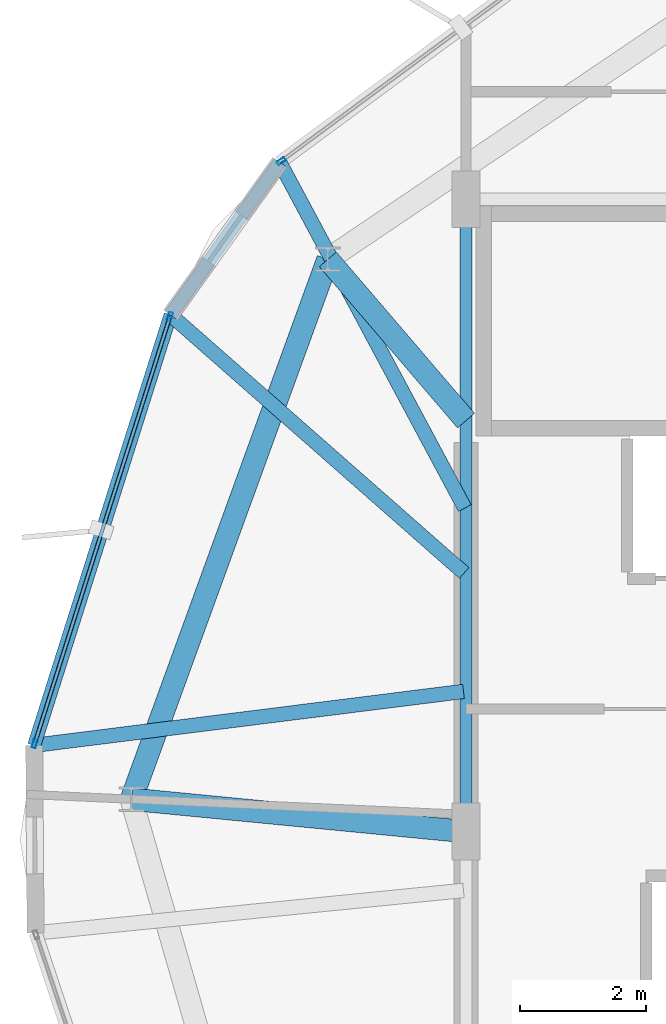
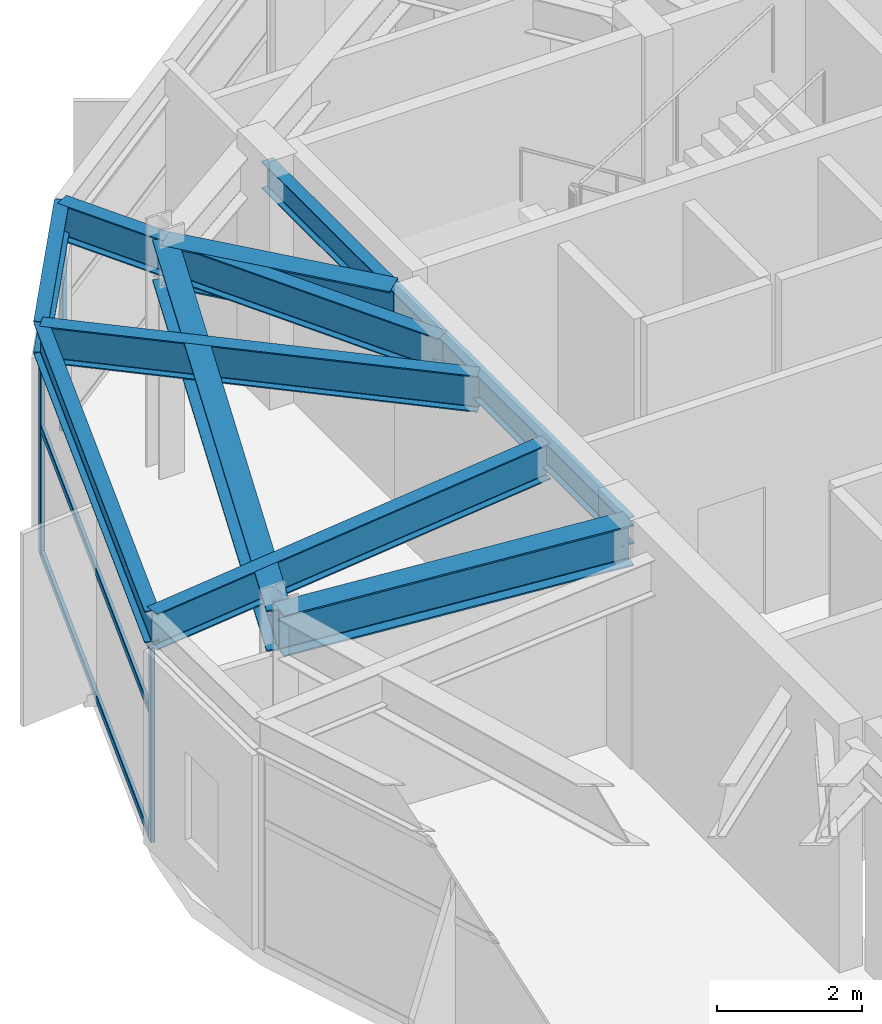
# One storey, part 10 of 22: 9 beams, 6 members, 2 elements without a shape of their own.
"""IFC4 building model written with IfcOpenShell, lengths in metres."""

import ifcopenshell
import ifcopenshell.guid

model = None  # the IFC model being written
_history = None  # IfcOwnerHistory: only IFC2X3 demands one
_inside = {}  # id of a spatial element -> (the spatial element, [elements in it])
_under = {}  # id of a project, library or spatial element -> (it, [spatial elements below it])
_declared = {}  # id of a project -> (the project, [libraries it declares])
_typed = {}  # id of a type object -> (the type object, [elements of that type])
_made_of = {}  # id of a material, layer set ... -> (it, [elements and type objects made of it])


def new_model(schema):
    """Start an empty IFC model of exactly this schema.

    Asked for "IFC4X3", IfcOpenShell would pick the latest addendum, in which some entities
    have other attributes; the version numbers below select the first issue.
    IFC2X3 requires an IfcOwnerHistory on every rooted entity: one is made here for all.
    """
    global model, _history
    if schema == "IFC4X3":
        model = ifcopenshell.file(schema_version=(4, 3, 0, 0))
    else:
        model = ifcopenshell.file(schema=schema)
    _inside.clear()
    _under.clear()
    _declared.clear()
    _typed.clear()
    _made_of.clear()
    _history = None
    if model.schema == "IFC2X3":
        org = make("IfcOrganization", Name="unknown")
        user = make(
            "IfcPersonAndOrganization",
            ThePerson=make("IfcPerson", FamilyName="unknown"),
            TheOrganization=org,
        )
        app = make(
            "IfcApplication",
            ApplicationDeveloper=org,
            Version="unknown",
            ApplicationFullName="unknown",
            ApplicationIdentifier="unknown",
        )
        _history = make(
            "IfcOwnerHistory",
            OwningUser=user,
            OwningApplication=app,
            ChangeAction="ADDED",
            CreationDate=0,
        )
    return model


def make(cls, **values):
    """One entity of the class cls with the attributes given. An attribute that is None is left unset."""
    return model.create_entity(
        cls, **{name: value for name, value in values.items() if value is not None}
    )


def rooted(cls, **values):
    """An entity with a GlobalId (a new one), such as an element, a storey or a relation."""
    return make(cls, GlobalId=ifcopenshell.guid.new(), OwnerHistory=_history, **values)


def si_unit(unit_type, name, prefix=None):
    """IfcSIUnit, for example si_unit("LENGTHUNIT", "METRE", prefix="MILLI")."""
    return make("IfcSIUnit", UnitType=unit_type, Prefix=prefix, Name=name)


def assignment(units):
    """IfcUnitAssignment: the units of a project."""
    return None if units is None else make("IfcUnitAssignment", Units=units)


def point(xyz):
    """IfcCartesianPoint."""
    return None if xyz is None else make("IfcCartesianPoint", Coordinates=xyz)


def direction(xyz):
    """IfcDirection."""
    return None if xyz is None else make("IfcDirection", DirectionRatios=xyz)


def frame(location, z_axis=None, x_axis=None):
    """IfcAxis2Placement3D, a coordinate frame: its origin and axes. An axis left out is left unset."""
    return make(
        "IfcAxis2Placement3D",
        Location=point(location),
        Axis=direction(z_axis),
        RefDirection=direction(x_axis),
    )


def frame_2d(location, x_axis=None):
    """IfcAxis2Placement2D, a coordinate frame in the plane: its origin and x axis."""
    return make(
        "IfcAxis2Placement2D", Location=point(location), RefDirection=direction(x_axis)
    )


def origin():
    """The frame at (0, 0, 0) with its axes left unset."""
    return frame((0.0, 0.0, 0.0))


def origin_2d():
    """The frame at (0, 0) in the plane with its x axis left unset."""
    return frame_2d((0.0, 0.0))


def place(relative_to, where):
    """IfcLocalPlacement: puts the frame where relative to a parent placement (None: the world)."""
    return make(
        "IfcLocalPlacement", PlacementRelTo=relative_to, RelativePlacement=where
    )


def context(
    kind, dimensions, precision=None, world=None, true_north=None, identifier=None
):
    """IfcGeometricRepresentationContext, for example the 3D "Model" context."""
    return make(
        "IfcGeometricRepresentationContext",
        ContextIdentifier=identifier,
        ContextType=kind,
        CoordinateSpaceDimension=dimensions,
        Precision=precision,
        WorldCoordinateSystem=world,
        TrueNorth=true_north,
    )


def subcontext(parent, identifier, kind, view, scale=None):
    """IfcGeometricRepresentationSubContext, for example "Body" below "Model"."""
    return make(
        "IfcGeometricRepresentationSubContext",
        ContextIdentifier=identifier,
        ContextType=kind,
        ParentContext=parent,
        TargetScale=scale,
        TargetView=view,
    )


def project(units=None, contexts=None):
    """IfcProject with its units and contexts."""
    return rooted(
        "IfcProject",
        Name="project",
        RepresentationContexts=contexts,
        UnitsInContext=assignment(units),
    )


def spatial(cls, under=None, at=None, **own):
    """A site, building, storey or space (cls), placed at a placement, below another one or the project."""
    s = rooted(cls, ObjectPlacement=at, **own)
    if under is not None:
        _under.setdefault(under.id(), (under, []))[1].append(s)
    return s


def profile(cls, at=None, kind="AREA", **sizes):
    """A parametric profile (cls). Its sizes go by their IFC names, for example OverallWidth=200.0."""
    return make(cls, ProfileType=kind, Position=at, **sizes)


def hollow_rectangle(**sizes):
    """IfcRectangleHollowProfileDef."""
    return profile("IfcRectangleHollowProfileDef", **sizes)


def i_section(**sizes):
    """IfcIShapeProfileDef."""
    return profile("IfcIShapeProfileDef", **sizes)


def extrude(swept, where, along, depth):
    """IfcExtrudedAreaSolid: the profile swept, set in the frame where, extruded along a direction by depth."""
    return make(
        "IfcExtrudedAreaSolid",
        SweptArea=swept,
        Position=where,
        ExtrudedDirection=direction(along),
        Depth=depth,
    )


def shape(context_of_items, identifier, shape_type, items):
    """IfcShapeRepresentation: the items that make up one representation, for example the "Body"."""
    return make(
        "IfcShapeRepresentation",
        ContextOfItems=context_of_items,
        RepresentationIdentifier=identifier,
        RepresentationType=shape_type,
        Items=items,
    )


def material(Name=None, Category=None):
    """IfcMaterial."""
    return make("IfcMaterial", Name=Name, Category=Category)


def layer(
    of_material, thickness, ventilated=None, Name=None, Category=None, Priority=None
):
    """IfcMaterialLayer: one layer of a wall or slab, of a material (None: an air gap)."""
    return make(
        "IfcMaterialLayer",
        Material=of_material,
        LayerThickness=thickness,
        IsVentilated=ventilated,
        Name=Name,
        Category=Category,
        Priority=Priority,
    )


def layer_set(layers, Name=None):
    """IfcMaterialLayerSet."""
    return make("IfcMaterialLayerSet", MaterialLayers=layers, LayerSetName=Name)


def material_profile(
    of_material, cross_section, Name=None, Category=None, Priority=None
):
    """IfcMaterialProfile: a cross section and its material."""
    return make(
        "IfcMaterialProfile",
        Name=Name,
        Material=of_material,
        Profile=cross_section,
        Priority=Priority,
        Category=Category,
    )


def profile_set(profiles, Name=None, composite=None):
    """IfcMaterialProfileSet."""
    return make(
        "IfcMaterialProfileSet",
        Name=Name,
        MaterialProfiles=profiles,
        CompositeProfile=composite,
    )


def made_of(thing, what):
    """Note that an element or type object is made of a material, layer set ...; save() writes the relation."""
    if what is not None:
        _made_of.setdefault(what.id(), (what, []))[1].append(thing)
    return thing


def type_object(cls, material=None, **own):
    """A type object (cls), such as IfcWallType, which elements share."""
    return made_of(rooted(cls, **own), material)


def element(
    cls,
    number,
    at=None,
    inside=None,
    cuts=None,
    type_object=None,
    material=None,
    context=None,
    identifier="Body",
    shape_type=None,
    held_by="IfcProductDefinitionShape",
    body=None,
    shapes=None,
    **own,
):
    """One element of the class cls, such as IfcWall. Its Tag is "e" and its number.

    at: its placement. inside: the storey or other place that contains it. cuts: it is an
    opening in that element (IfcRelVoidsElement). A single representation is given by context,
    identifier, shape_type and body (its items); several are given by shapes. held_by: the class
    of the entity that holds the representations. save() writes the other relations.
    """
    e = rooted(cls, Tag="e%d" % number, ObjectPlacement=at, **own)
    if body is not None:
        shapes = [shape(context, identifier, shape_type, body)]
    if shapes is not None:
        e.Representation = make(held_by, Representations=shapes)
    if inside is not None:
        _inside.setdefault(inside.id(), (inside, []))[1].append(e)
    if cuts is not None:
        rooted(
            "IfcRelVoidsElement", RelatingBuildingElement=cuts, RelatedOpeningElement=e
        )
    if type_object is not None:
        _typed.setdefault(type_object.id(), (type_object, []))[1].append(e)
    return made_of(e, material)


def aggregate(whole, parts):
    """IfcRelAggregates: a whole, such as a stair, and the parts it consists of."""
    return rooted("IfcRelAggregates", RelatingObject=whole, RelatedObjects=parts)


def save(model, path):
    """Write the relations noted so far, then the file.

    IfcRelAggregates (storeys below a building ...), IfcRelContainedInSpatialStructure (elements
    in a storey), IfcRelDefinesByType, IfcRelAssociatesMaterial and IfcRelDeclares: one each for
    every whole, place, type object, material and project.
    """
    for whole, parts in _under.values():
        aggregate(whole, parts)
    for where, things in _inside.values():
        rooted(
            "IfcRelContainedInSpatialStructure",
            RelatedElements=things,
            RelatingStructure=where,
        )
    for kind, things in _typed.values():
        rooted("IfcRelDefinesByType", RelatedObjects=things, RelatingType=kind)
    for what, things in _made_of.values():
        rooted("IfcRelAssociatesMaterial", RelatedObjects=things, RelatingMaterial=what)
    for by, libraries in _declared.values():
        rooted("IfcRelDeclares", RelatingContext=by, RelatedDefinitions=libraries)
    model.write(path)


model = new_model("IFC4")

# Units and contexts
model_context = context("Model", 3, precision=1e-05, world=origin(), true_north=direction((0.0, 1.0)))
body_context = subcontext(model_context, "Body", "Model", "MODEL_VIEW")
ifc_project = project(units=[si_unit("LENGTHUNIT", "METRE"), si_unit("AREAUNIT", "SQUARE_METRE"), si_unit("VOLUMEUNIT", "CUBIC_METRE"), si_unit("PLANEANGLEUNIT", "RADIAN"), si_unit("MASSUNIT", "GRAM", prefix="KILO")], contexts=[model_context])

# Site, building, storey
site_placement = place(None, origin())
site = spatial("IfcSite", under=ifc_project, at=site_placement, CompositionType="ELEMENT")
building_placement = place(site_placement, origin())
building = spatial("IfcBuilding", under=site, at=building_placement, Name="Soratama Intermodal Tower", CompositionType="ELEMENT")
storey_placement = place(building_placement, frame((0.0, 0.0, 301.449951171875)))
storey = spatial("IfcBuildingStorey", under=building, at=storey_placement, Name="L76", CompositionType="ELEMENT", Elevation=301.449951171875)

# Beams
ifc_material_1 = material(Name="Structural steel ASTM A992 Grade 50", Category="steel")
ifc_material_profile_1 = material_profile(ifc_material_1, i_section(OverallWidth=0.19091796875, OverallDepth=0.4599609375, WebThickness=0.010009765625, FlangeThickness=0.01611328125, FilletRadius=0.010986328125, at=origin_2d()), Name="W18X55")
ifc_profile_set_1 = profile_set([ifc_material_profile_1], Name="Structural steel ASTM A992 Grade 50")
beam_type_1 = type_object("IfcBeamType", Name="BM-FLR-W18X55", PredefinedType="BEAM", material=ifc_profile_set_1)
beam_1_placement = place(storey_placement, frame((32.60009765625, 35.0, 3.6650390625), z_axis=(0.0, -1.0, 0.0), x_axis=(1.0, 0.0, 0.0)))
element("IfcBeam", 1, at=beam_1_placement, inside=storey, type_object=beam_type_1, Name="BM-L76-CRING-08", PredefinedType="BEAM", context=body_context, shape_type="SweptSolid", body=[
    extrude(i_section(OverallWidth=0.19091796875, OverallDepth=0.4599609375, WebThickness=0.010009765625, FlangeThickness=0.01611328125, FilletRadius=0.010986328125, at=origin_2d()), origin(), (0.0, 0.0, 1.0), 10.0),
])
ifc_material_2 = material(Name="Structural steel ASTM A992 Grade 50", Category="steel")
ifc_material_profile_2 = material_profile(ifc_material_2, i_section(OverallWidth=0.35498046875, OverallDepth=0.695068359375, WebThickness=0.015380859375, FlangeThickness=0.02490234375, FilletRadius=0.01611328125, at=origin_2d()), Name="W27X146")
ifc_profile_set_2 = profile_set([ifc_material_profile_2], Name="Structural steel ASTM A992 Grade 50")
beam_type_2 = type_object("IfcBeamType", Name="BM-RING-W27X146", PredefinedType="BEAM", material=ifc_profile_set_2)
beam_2_placement = place(storey_placement, frame((30.416015625, 34.050048828125, 3.547607421875), z_axis=(-0.341989029925, -0.939703944555, 0.0), x_axis=(0.939703944555, -0.341989029925, 0.0)))
element("IfcBeam", 2, at=beam_2_placement, inside=storey, type_object=beam_type_2, Name="BM-L76-RING-04", PredefinedType="BEAM", context=body_context, shape_type="SweptSolid", body=[
    extrude(i_section(OverallWidth=0.35498046875, OverallDepth=0.695068359375, WebThickness=0.015380859375, FlangeThickness=0.02490234375, FilletRadius=0.01611328125, at=origin_2d()), origin(), (0.0, 0.0, 1.0), 9.0849609375),
])
beam_3_placement = place(storey_placement, frame((32.60009765625, 31.5, 3.547607421875), z_axis=(-0.650503890691, 0.759502921782, 0.0), x_axis=(-0.759502921782, -0.650503890691, 0.0)))
element("IfcBeam", 3, at=beam_3_placement, inside=storey, type_object=beam_type_2, Name="BM-L76-RAD-04", PredefinedType="BEAM", context=body_context, shape_type="SweptSolid", body=[
    extrude(i_section(OverallWidth=0.35498046875, OverallDepth=0.695068359375, WebThickness=0.015380859375, FlangeThickness=0.02490234375, FilletRadius=0.01611328125, at=origin_2d()), origin(), (0.0, 0.0, 1.0), 3.357421875),
])
beam_4_placement = place(storey_placement, frame((32.60009765625, 25.0, 3.547607421875), z_axis=(-0.995333664321, 0.096492987668, 0.0), x_axis=(-0.096492987668, -0.995333664321, 0.0)))
element("IfcBeam", 4, at=beam_4_placement, inside=storey, type_object=beam_type_2, Name="BM-L76-RAD-05", PredefinedType="BEAM", context=body_context, shape_type="SweptSolid", body=[
    extrude(i_section(OverallWidth=0.35498046875, OverallDepth=0.695068359375, WebThickness=0.015380859375, FlangeThickness=0.02490234375, FilletRadius=0.01611328125, at=origin_2d()), origin(), (0.0, 0.0, 1.0), 5.31591796875),
])
ifc_material_3 = material(Name="Structural steel ASTM A992 Grade 50", Category="steel")
ifc_material_profile_3 = material_profile(ifc_material_3, i_section(OverallWidth=0.2099609375, OverallDepth=0.537109375, WebThickness=0.010986328125, FlangeThickness=0.017333984375, FilletRadius=0.012939453125, at=origin_2d()), Name="W21X68")
ifc_profile_set_3 = profile_set([ifc_material_profile_3], Name="Structural steel ASTM A992 Grade 50")
beam_type_3 = type_object("IfcBeamType", Name="BM-SPN-W21X68", PredefinedType="SPANDREL", material=ifc_profile_set_3)
beam_5_placement = place(storey_placement, frame((29.654052734375, 35.583984375, 3.62646484375), z_axis=(-0.581977689711, -0.813204752002, 0.0), x_axis=(0.813204752002, -0.581977689711, 0.0)))
element("IfcBeam", 5, at=beam_5_placement, inside=storey, type_object=beam_type_3, Name="BS-L76-CRN02", PredefinedType="SPANDREL", context=body_context, shape_type="SweptSolid", body=[
    extrude(i_section(OverallWidth=0.2099609375, OverallDepth=0.537109375, WebThickness=0.010986328125, FlangeThickness=0.017333984375, FilletRadius=0.012939453125, at=origin_2d()), origin(), (0.0, 0.0, 1.0), 2.9658203125),
])
beam_6_placement = place(storey_placement, frame((27.927978515625, 33.172119140625, 3.62646484375), z_axis=(-0.30206882122, -0.953286120347, 0.0), x_axis=(0.953286120347, -0.30206882122, 0.0)))
element("IfcBeam", 6, at=beam_6_placement, inside=storey, type_object=beam_type_3, Name="BS-L76-F03", PredefinedType="SPANDREL", context=body_context, shape_type="SweptSolid", body=[
    extrude(i_section(OverallWidth=0.2099609375, OverallDepth=0.537109375, WebThickness=0.010986328125, FlangeThickness=0.017333984375, FilletRadius=0.012939453125, at=origin_2d()), origin(), (0.0, 0.0, 1.0), 7.140625),
])
ifc_material_4 = material(Name="Structural steel ASTM A992 Grade 50", Category="steel")
ifc_material_profile_4 = material_profile(ifc_material_4, i_section(OverallWidth=0.22900390625, OverallDepth=0.612060546875, WebThickness=0.011962890625, FlangeThickness=0.01953125, FilletRadius=0.012939453125, at=origin_2d()), Name="W24X84")
ifc_profile_set_4 = profile_set([ifc_material_profile_4], Name="Structural steel ASTM A992 Grade 50")
beam_type_4 = type_object("IfcBeamType", Name="BM-TIE-W24X84", PredefinedType="BEAM", material=ifc_profile_set_4)
beam_7_placement = place(storey_placement, frame((32.5810546875, 30.116943359375, 3.589111328125), z_axis=(-0.471999617972, 0.881598752627, 0.0), x_axis=(-0.881598752627, -0.471999617972, 0.0)))
element("IfcBeam", 7, at=beam_7_placement, inside=storey, type_object=beam_type_4, Name="BM-L76-TIE1-02", PredefinedType="BEAM", context=body_context, shape_type="SweptSolid", body=[
    extrude(i_section(OverallWidth=0.22900390625, OverallDepth=0.612060546875, WebThickness=0.011962890625, FlangeThickness=0.01953125, FilletRadius=0.012939453125, at=origin_2d()), origin(), (0.0, 0.0, 1.0), 6.201171875),
])
beam_8_placement = place(storey_placement, frame((32.570068359375, 29.091064453125, 3.589111328125), z_axis=(-0.751033124797, 0.660264526881, 0.0), x_axis=(-0.660264526881, -0.751033124797, 0.0)))
element("IfcBeam", 8, at=beam_8_placement, inside=storey, type_object=beam_type_4, Name="BM-L76-TIE0-03", PredefinedType="BEAM", context=body_context, shape_type="SweptSolid", body=[
    extrude(i_section(OverallWidth=0.22900390625, OverallDepth=0.612060546875, WebThickness=0.011962890625, FlangeThickness=0.01953125, FilletRadius=0.012939453125, at=origin_2d()), origin(), (0.0, 0.0, 1.0), 6.180908203125),
])
beam_9_placement = place(storey_placement, frame((32.56005859375, 27.218017578125, 3.589111328125), z_axis=(-0.99219862956, -0.124667074643, 0.0), x_axis=(0.124667074643, -0.99219862956, 0.0)))
element("IfcBeam", 9, at=beam_9_placement, inside=storey, type_object=beam_type_4, Name="BM-L76-TIE1-03", PredefinedType="BEAM", context=body_context, shape_type="SweptSolid", body=[
    extrude(i_section(OverallWidth=0.22900390625, OverallDepth=0.612060546875, WebThickness=0.011962890625, FlangeThickness=0.01953125, FilletRadius=0.012939453125, at=origin_2d()), origin(), (0.0, 0.0, 1.0), 6.842529296875),
])

# Curtain wall, member
ifc_material_5 = material(Name="Double-glazed aluminium curtain wall", Category="aluminium")
ifc_layer = layer(ifc_material_5, 0.159912109375)
ifc_layer_set = layer_set([ifc_layer], Name="Double-glazed aluminium curtain wall")
curtain_wall_type = type_object("IfcCurtainWallType", Name="CW-SYS-6", PredefinedType="NOTDEFINED", material=ifc_layer_set)
curtain_wall_1_placement = place(storey_placement, origin())
curtain_wall_1 = element("IfcCurtainWall", 10, at=curtain_wall_1_placement, inside=storey, type_object=curtain_wall_type, Name="L76 Faceted Curtain Wall F02", PredefinedType="NOTDEFINED")
ifc_material_6 = material(Name="Anodised aluminium AA 6063-T6", Category="aluminium")
ifc_material_profile_5 = material_profile(ifc_material_6, hollow_rectangle(XDim=0.06494140625, YDim=0.139892578125, WallThickness=0.0048828125, InnerFilletRadius=0.0048828125, OuterFilletRadius=0.010009765625, at=origin_2d()), Name="CWM140X65X5")
ifc_profile_set_5 = profile_set([ifc_material_profile_5], Name="Anodised aluminium AA 6063-T6")
member_type_1 = type_object("IfcMemberType", Name="MT-CWM-6", PredefinedType="MULLION", material=ifc_profile_set_5)
member_1_placement = place(storey_placement, frame((29.67822265625, 35.602294921875, 0.0), z_axis=(0.0, 0.0, 1.0), x_axis=(0.593704851931, -0.804682887101, 0.0)))
member_1 = element("IfcMember", 11, at=member_1_placement, type_object=member_type_1, Name="CW-6 mullion 2", PredefinedType="MULLION", context=body_context, shape_type="SweptSolid", body=[
    extrude(hollow_rectangle(XDim=0.06494140625, YDim=0.139892578125, WallThickness=0.0048828125, InnerFilletRadius=0.0048828125, OuterFilletRadius=0.010009765625, at=origin_2d()), origin(), (0.0, 0.0, 1.0), 3.274169921875),
])
aggregate(curtain_wall_1, [member_1])

# Curtain wall, members
curtain_wall_2_placement = place(storey_placement, origin())
curtain_wall_2 = element("IfcCurtainWall", 12, at=curtain_wall_2_placement, inside=storey, type_object=curtain_wall_type, Name="L76 Faceted Curtain Wall F03", PredefinedType="NOTDEFINED")
member_2_placement = place(storey_placement, frame((27.9189453125, 33.143310546875, 0.0), z_axis=(0.0, 0.0, 1.0), x_axis=(0.953296061555, -0.302037446393, 0.0)))
member_2 = element("IfcMember", 13, at=member_2_placement, type_object=member_type_1, Name="CW-6 mullion 1", PredefinedType="MULLION", context=body_context, shape_type="SweptSolid", body=[
    extrude(hollow_rectangle(XDim=0.06494140625, YDim=0.139892578125, WallThickness=0.0048828125, InnerFilletRadius=0.0048828125, OuterFilletRadius=0.010009765625, at=origin_2d()), origin(), (0.0, 0.0, 1.0), 3.274169921875),
])
member_3_placement = place(storey_placement, frame((25.780517578125, 26.393798828125, 0.0), z_axis=(0.0, 0.0, 1.0), x_axis=(0.953296061555, -0.302037446393, 0.0)))
member_3 = element("IfcMember", 14, at=member_3_placement, type_object=member_type_1, Name="CW-6 mullion 2", PredefinedType="MULLION", context=body_context, shape_type="SweptSolid", body=[
    extrude(hollow_rectangle(XDim=0.06494140625, YDim=0.139892578125, WallThickness=0.0048828125, InnerFilletRadius=0.0048828125, OuterFilletRadius=0.010009765625, at=origin_2d()), origin(), (0.0, 0.0, 1.0), 3.274169921875),
])
ifc_material_7 = material(Name="Anodised aluminium AA 6063-T6", Category="aluminium")
ifc_material_profile_6 = material_profile(ifc_material_7, hollow_rectangle(XDim=0.06005859375, YDim=0.1298828125, WallThickness=0.0048828125, InnerFilletRadius=0.0048828125, OuterFilletRadius=0.010009765625, at=origin_2d()), Name="CWT130X60X5")
ifc_profile_set_6 = profile_set([ifc_material_profile_6], Name="Anodised aluminium AA 6063-T6")
member_type_2 = type_object("IfcMemberType", Name="TT-CWT-2", PredefinedType="USERDEFINED", material=ifc_profile_set_6)
member_4_placement = place(storey_placement, frame((27.909912109375, 33.114501953125, 0.030029296875), z_axis=(-0.302045000463, -0.953293668129, 0.0), x_axis=(0.953293668129, -0.302045000463, 0.0)))
member_4 = element("IfcMember", 15, at=member_4_placement, type_object=member_type_2, Name="CW-6 transom 1.1", ObjectType="TRANSOM", PredefinedType="USERDEFINED", context=body_context, shape_type="SweptSolid", body=[
    extrude(hollow_rectangle(XDim=0.06005859375, YDim=0.1298828125, WallThickness=0.0048828125, InnerFilletRadius=0.0048828125, OuterFilletRadius=0.010009765625, at=origin_2d()), origin(), (0.0, 0.0, 1.0), 7.02001953125),
])
member_5_placement = place(storey_placement, frame((27.909912109375, 33.114501953125, 2.150146484375), z_axis=(-0.302045000463, -0.953293668129, 0.0), x_axis=(0.953293668129, -0.302045000463, 0.0)))
member_5 = element("IfcMember", 16, at=member_5_placement, type_object=member_type_2, Name="CW-6 transom 1.2", ObjectType="TRANSOM", PredefinedType="USERDEFINED", context=body_context, shape_type="SweptSolid", body=[
    extrude(hollow_rectangle(XDim=0.06005859375, YDim=0.1298828125, WallThickness=0.0048828125, InnerFilletRadius=0.0048828125, OuterFilletRadius=0.010009765625, at=origin_2d()), origin(), (0.0, 0.0, 1.0), 7.02001953125),
])
member_6_placement = place(storey_placement, frame((27.909912109375, 33.114501953125, 3.244140625), z_axis=(-0.302045000463, -0.953293668129, 0.0), x_axis=(0.953293668129, -0.302045000463, 0.0)))
member_6 = element("IfcMember", 17, at=member_6_placement, type_object=member_type_2, Name="CW-6 transom 1.3", ObjectType="TRANSOM", PredefinedType="USERDEFINED", context=body_context, shape_type="SweptSolid", body=[
    extrude(hollow_rectangle(XDim=0.06005859375, YDim=0.1298828125, WallThickness=0.0048828125, InnerFilletRadius=0.0048828125, OuterFilletRadius=0.010009765625, at=origin_2d()), origin(), (0.0, 0.0, 1.0), 7.02001953125),
])
aggregate(curtain_wall_2, [member_2, member_3, member_4, member_5, member_6])

save(model, "model.ifc")
